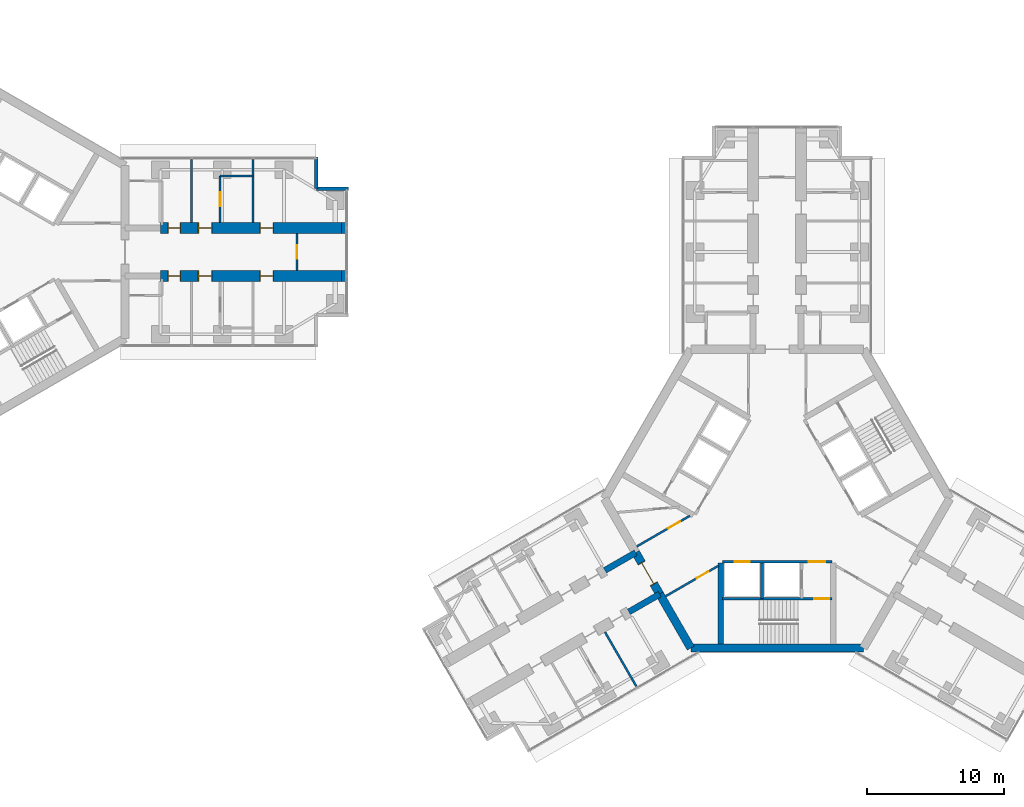
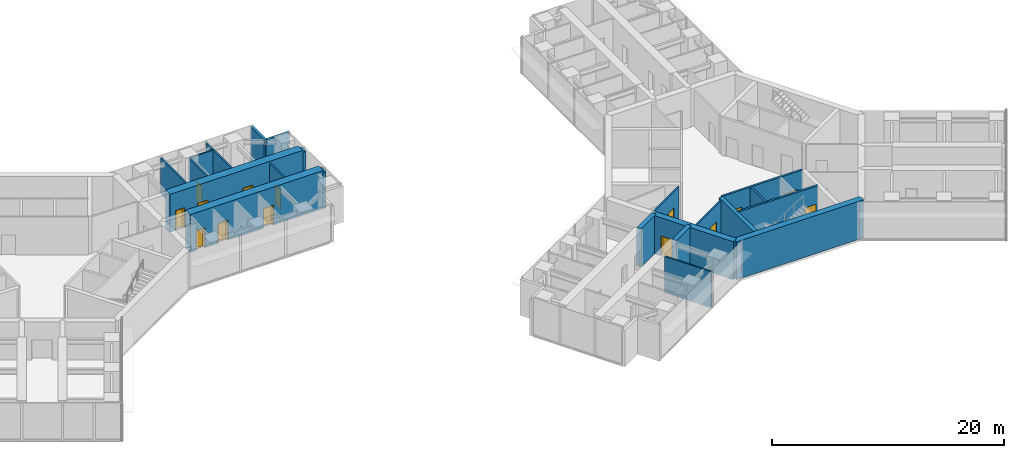
# One storey, part 18 of 22: 23 walls, 14 doors, 14 openings.
"""IFC4 building model written with IfcOpenShell, lengths in metres."""

from ifc_helpers import new_model, si_unit, direction, frame, frame_2d, origin, place, context, subcontext, project, spatial, rectangle, extrude, material, layer, layer_set, type_object, element, fill, save


model = new_model("IFC4")

# Units and contexts
model_context = context("Model", 3, precision=1e-05, world=origin(), true_north=direction((0.0, 1.0)))
body_context = subcontext(model_context, "Body", "Model", "MODEL_VIEW")
ifc_project = project(units=[si_unit("LENGTHUNIT", "METRE"), si_unit("AREAUNIT", "SQUARE_METRE"), si_unit("VOLUMEUNIT", "CUBIC_METRE"), si_unit("PLANEANGLEUNIT", "RADIAN"), si_unit("MASSUNIT", "GRAM", prefix="KILO")], contexts=[model_context])

# Site, building, storey
site_placement = place(None, origin())
site = spatial("IfcSite", under=ifc_project, at=site_placement, CompositionType="ELEMENT")
building_placement = place(site_placement, origin())
building = spatial("IfcBuilding", under=site, at=building_placement, Name="Upepo Twin Towers", CompositionType="ELEMENT")
storey_placement = place(building_placement, frame((0.0, 0.0, 137.5)))
storey = spatial("IfcBuildingStorey", under=building, at=storey_placement, Name="L33", CompositionType="ELEMENT", Elevation=137.5)

# Walls
ifc_material_1 = material(Name="Dense concrete blockwork", Category="masonry")
ifc_layer_1 = layer(ifc_material_1, 0.800048828125)
ifc_layer_set_1 = layer_set([ifc_layer_1], Name="Buttress closer 800, blockwork with fire-stopping to the curtain wall")
wall_type_1 = type_object("IfcWallType", Name="Buttress closer 800, blockwork with fire-stopping to the curtain wall", PredefinedType="PARTITIONING", material=ifc_layer_set_1)
for number, where, z_axis, x_axis, name in (
    (1, (26.699951171875, 1.75, 0.0), (0.0, 0.0, 1.0), (1.0, 0.0, 0.0), "T1 L33 wing A buttress closer L"),
    (2, (26.699951171875, -1.75, 0.0), (0.0, 0.0, 1.0), (1.0, 0.0, 0.0), "T1 L33 wing A buttress closer R"),
):
    element("IfcWall", number, at=place(storey_placement, frame(where, z_axis=z_axis, x_axis=x_axis)), inside=storey, type_object=wall_type_1, Name=name, PredefinedType="PARTITIONING", context=body_context, shape_type="SweptSolid", body=[
        extrude(rectangle(XDim=0.300048828125, YDim=0.800048828125, at=frame_2d((0.14990234375, 0.0))), origin(), (0.0, 0.0, 1.0), 3.800048828125),
    ])
ifc_material_2 = material(Name="Concrete C60/75", Category="concrete")
ifc_layer_2 = layer(ifc_material_2, 0.449951171875)
ifc_layer_set_2 = layer_set([ifc_layer_2], Name="Concrete C60/75")
wall_type_2 = type_object("IfcWallType", Name="Buttress wall 450 RC", PredefinedType="SHEAR", material=ifc_layer_set_2)
for number, where, z_axis, x_axis, name in (
    (3, (49.92822265625, -24.9697265625, 0.0), (0.0, 0.0, 1.0), (-0.866031863473, -0.499988811324, 0.0), "T2 wing B buttress wall L"),
    (4, (48.17822265625, -21.938720703125, 0.0), (0.0, 0.0, 1.0), (-0.866072649678, -0.499918158782, 0.0), "T2 wing B buttress wall R"),
):
    element("IfcWall", number, at=place(storey_placement, frame(where, z_axis=z_axis, x_axis=x_axis)), inside=storey, type_object=wall_type_2, Name=name, PredefinedType="SHEAR", context=body_context, shape_type="SweptSolid", body=[
        extrude(rectangle(XDim=2.591796875, YDim=0.449951171875, at=frame_2d((1.2958984375, 0.0))), origin(), (0.0, 0.0, 1.0), 4.0),
    ])

# Wall, openings, doors
ifc_material_3 = material(Name="Concrete C60/75", Category="concrete")
ifc_layer_3 = layer(ifc_material_3, 0.800048828125)
ifc_layer_set_3 = layer_set([ifc_layer_3], Name="Concrete C60/75")
wall_type_3 = type_object("IfcWallType", Name="Buttress wall 800 RC", PredefinedType="SHEAR", material=ifc_layer_set_3)
wall_1_placement = place(storey_placement, frame((13.5, 1.75, 0.0), z_axis=(0.0, 0.0, 1.0), x_axis=(1.0, 0.0, 0.0)))
wall_1 = element("IfcWall", 5, at=wall_1_placement, inside=storey, type_object=wall_type_3, Name="T1 wing A buttress wall L part 2", PredefinedType="SHEAR", context=body_context, shape_type="SweptSolid", body=[
    extrude(rectangle(XDim=13.199951171875, YDim=0.800048828125, at=frame_2d((6.60009765625, 0.0))), origin(), (0.0, 0.0, 1.0), 4.0),
])
opening_1_placement = place(wall_1_placement, frame((0.550048828125, 0.0, 0.0)))
opening_1 = element("IfcOpeningElement", 6, at=opening_1_placement, cuts=wall_1, Name="Opening D11", PredefinedType="OPENING", context=body_context, shape_type="SweptSolid", body=[
    extrude(rectangle(XDim=0.89990234375, YDim=2.10009765625, at=frame_2d((0.449951171875, 1.050048828125))), frame((0.0, 0.409912109375, 0.0), z_axis=(0.0, -1.0, 0.0), x_axis=(1.0, 0.0, 0.0)), (0.0, 0.0, 1.0), 0.820068359375),
])
opening_2_placement = place(wall_1_placement, frame((2.75, 0.0, 0.0)))
opening_2 = element("IfcOpeningElement", 7, at=opening_2_placement, cuts=wall_1, Name="Opening D1", PredefinedType="OPENING", context=body_context, shape_type="SweptSolid", body=[
    extrude(rectangle(XDim=1.0, YDim=2.10009765625, at=frame_2d((0.5, 1.050048828125))), frame((0.0, 0.409912109375, 0.0), z_axis=(0.0, -1.0, 0.0), x_axis=(1.0, 0.0, 0.0)), (0.0, 0.0, 1.0), 0.820068359375),
])
opening_3_placement = place(wall_1_placement, frame((7.25, 0.0, 0.0)))
opening_3 = element("IfcOpeningElement", 8, at=opening_3_placement, cuts=wall_1, Name="Opening D1", PredefinedType="OPENING", context=body_context, shape_type="SweptSolid", body=[
    extrude(rectangle(XDim=1.0, YDim=2.10009765625, at=frame_2d((0.5, 1.050048828125))), frame((0.0, 0.409912109375, 0.0), z_axis=(0.0, -1.0, 0.0), x_axis=(1.0, 0.0, 0.0)), (0.0, 0.0, 1.0), 0.820068359375),
])
ifc_material_4 = material(Name="Timber doorset", Category="wood")
door_type_1 = type_object("IfcDoorType", Name="Room door 1000 FD30", OperationType="SINGLE_SWING_LEFT", PredefinedType="DOOR", material=ifc_material_4)
door_1_placement = place(opening_2_placement, origin())
door_1 = element("IfcDoor", 9, at=door_1_placement, inside=storey, type_object=door_type_1, Name="T1 L33 seminar room door", OperationType="SINGLE_SWING_LEFT", OverallHeight=2.10009765625, OverallWidth=1.0, PredefinedType="DOOR", context=body_context, shape_type="SweptSolid", body=[
    extrude(rectangle(XDim=0.92, YDim=2.06009765625, at=frame_2d((0.5, 1.030029296875))), frame((0.0, 0.02490234375, 0.0), z_axis=(0.0, -1.0, 0.0), x_axis=(1.0, 0.0, 0.0)), (0.0, 0.0, 1.0), 0.050048828125),
    extrude(rectangle(XDim=0.04, YDim=2.10009765625, at=frame_2d((0.02001953125, 1.050048828125))), frame((0.0, 0.39990234375, 0.0), z_axis=(0.0, -1.0, 0.0), x_axis=(1.0, 0.0, 0.0)), (0.0, 0.0, 1.0), 0.799560546875),
    extrude(rectangle(XDim=0.04, YDim=2.10009765625, at=frame_2d((0.97998046875, 1.050048828125))), frame((0.0, 0.39990234375, 0.0), z_axis=(0.0, -1.0, 0.0), x_axis=(1.0, 0.0, 0.0)), (0.0, 0.0, 1.0), 0.799560546875),
    extrude(rectangle(XDim=0.92, YDim=0.04, at=frame_2d((0.5, 2.080078125))), frame((0.0, 0.39990234375, 0.0), z_axis=(0.0, -1.0, 0.0), x_axis=(1.0, 0.0, 0.0)), (0.0, 0.0, 1.0), 0.799560546875),
])
fill(opening_2, door_1)
door_2_placement = place(opening_3_placement, origin())
door_2 = element("IfcDoor", 10, at=door_2_placement, inside=storey, type_object=door_type_1, Name="T1 L33 staff office door", OperationType="SINGLE_SWING_RIGHT", OverallHeight=2.10009765625, OverallWidth=1.0, PredefinedType="DOOR", context=body_context, shape_type="SweptSolid", body=[
    extrude(rectangle(XDim=0.92, YDim=2.06009765625, at=frame_2d((0.5, 1.030029296875))), frame((0.0, 0.02490234375, 0.0), z_axis=(0.0, -1.0, 0.0), x_axis=(1.0, 0.0, 0.0)), (0.0, 0.0, 1.0), 0.050048828125),
    extrude(rectangle(XDim=0.04, YDim=2.10009765625, at=frame_2d((0.02001953125, 1.050048828125))), frame((0.0, 0.39990234375, 0.0), z_axis=(0.0, -1.0, 0.0), x_axis=(1.0, 0.0, 0.0)), (0.0, 0.0, 1.0), 0.799560546875),
    extrude(rectangle(XDim=0.04, YDim=2.10009765625, at=frame_2d((0.97998046875, 1.050048828125))), frame((0.0, 0.39990234375, 0.0), z_axis=(0.0, -1.0, 0.0), x_axis=(1.0, 0.0, 0.0)), (0.0, 0.0, 1.0), 0.799560546875),
    extrude(rectangle(XDim=0.92, YDim=0.04, at=frame_2d((0.5, 2.080078125))), frame((0.0, 0.39990234375, 0.0), z_axis=(0.0, -1.0, 0.0), x_axis=(1.0, 0.0, 0.0)), (0.0, 0.0, 1.0), 0.799560546875),
])
fill(opening_3, door_2)
ifc_material_5 = material(Name="Timber doorset", Category="wood")
door_type_2 = type_object("IfcDoorType", Name="Toilet door 900", OperationType="SINGLE_SWING_LEFT", PredefinedType="DOOR", material=ifc_material_5)
door_3_placement = place(opening_1_placement, origin())
door_3 = element("IfcDoor", 11, at=door_3_placement, inside=storey, type_object=door_type_2, Name="T1 L33 accessible wc door", OperationType="SINGLE_SWING_LEFT", OverallHeight=2.10009765625, OverallWidth=0.89990234375, PredefinedType="DOOR", context=body_context, shape_type="SweptSolid", body=[
    extrude(rectangle(XDim=0.81990234375, YDim=2.06009765625, at=frame_2d((0.449951171875, 1.030029296875))), frame((0.0, 0.02490234375, 0.0), z_axis=(0.0, -1.0, 0.0), x_axis=(1.0, 0.0, 0.0)), (0.0, 0.0, 1.0), 0.050048828125),
    extrude(rectangle(XDim=0.04, YDim=2.10009765625, at=frame_2d((0.02001953125, 1.050048828125))), frame((0.0, 0.39990234375, 0.0), z_axis=(0.0, -1.0, 0.0), x_axis=(1.0, 0.0, 0.0)), (0.0, 0.0, 1.0), 0.799560546875),
    extrude(rectangle(XDim=0.04, YDim=2.10009765625, at=frame_2d((0.8798828125, 1.050048828125))), frame((0.0, 0.39990234375, 0.0), z_axis=(0.0, -1.0, 0.0), x_axis=(1.0, 0.0, 0.0)), (0.0, 0.0, 1.0), 0.799560546875),
    extrude(rectangle(XDim=0.81990234375, YDim=0.04, at=frame_2d((0.449951171875, 2.080078125))), frame((0.0, 0.39990234375, 0.0), z_axis=(0.0, -1.0, 0.0), x_axis=(1.0, 0.0, 0.0)), (0.0, 0.0, 1.0), 0.799560546875),
])
fill(opening_1, door_3)

wall_2_placement = place(storey_placement, frame((13.5, -1.75, 0.0), z_axis=(0.0, 0.0, 1.0), x_axis=(1.0, 0.0, 0.0)))
wall_2 = element("IfcWall", 12, at=wall_2_placement, inside=storey, type_object=wall_type_3, Name="T1 wing A buttress wall R part 2", PredefinedType="SHEAR", context=body_context, shape_type="SweptSolid", body=[
    extrude(rectangle(XDim=13.199951171875, YDim=0.800048828125, at=frame_2d((6.60009765625, 0.0))), origin(), (0.0, 0.0, 1.0), 4.0),
])
opening_4_placement = place(wall_2_placement, frame((0.550048828125, 0.0, 0.0)))
opening_4 = element("IfcOpeningElement", 13, at=opening_4_placement, cuts=wall_2, Name="Opening D11", PredefinedType="OPENING", context=body_context, shape_type="SweptSolid", body=[
    extrude(rectangle(XDim=0.89990234375, YDim=2.10009765625, at=frame_2d((0.449951171875, 1.050048828125))), frame((0.0, 0.409912109375, 0.0), z_axis=(0.0, -1.0, 0.0), x_axis=(1.0, 0.0, 0.0)), (0.0, 0.0, 1.0), 0.820068359375),
])
opening_5_placement = place(wall_2_placement, frame((2.75, 0.0, 0.0)))
opening_5 = element("IfcOpeningElement", 14, at=opening_5_placement, cuts=wall_2, Name="Opening D1", PredefinedType="OPENING", context=body_context, shape_type="SweptSolid", body=[
    extrude(rectangle(XDim=1.0, YDim=2.10009765625, at=frame_2d((0.5, 1.050048828125))), frame((0.0, 0.409912109375, 0.0), z_axis=(0.0, -1.0, 0.0), x_axis=(1.0, 0.0, 0.0)), (0.0, 0.0, 1.0), 0.820068359375),
])
opening_6_placement = place(wall_2_placement, frame((7.25, 0.0, 0.0)))
opening_6 = element("IfcOpeningElement", 15, at=opening_6_placement, cuts=wall_2, Name="Opening D1", PredefinedType="OPENING", context=body_context, shape_type="SweptSolid", body=[
    extrude(rectangle(XDim=1.0, YDim=2.10009765625, at=frame_2d((0.5, 1.050048828125))), frame((0.0, 0.409912109375, 0.0), z_axis=(0.0, -1.0, 0.0), x_axis=(1.0, 0.0, 0.0)), (0.0, 0.0, 1.0), 0.820068359375),
])
door_4_placement = place(opening_5_placement, origin())
door_4 = element("IfcDoor", 16, at=door_4_placement, inside=storey, type_object=door_type_1, Name="T1 L33 tutorial room door", OperationType="SINGLE_SWING_LEFT", OverallHeight=2.10009765625, OverallWidth=1.0, PredefinedType="DOOR", context=body_context, shape_type="SweptSolid", body=[
    extrude(rectangle(XDim=0.92, YDim=2.06009765625, at=frame_2d((0.5, 1.030029296875))), frame((0.0, 0.02490234375, 0.0), z_axis=(0.0, -1.0, 0.0), x_axis=(1.0, 0.0, 0.0)), (0.0, 0.0, 1.0), 0.050048828125),
    extrude(rectangle(XDim=0.04, YDim=2.10009765625, at=frame_2d((0.02001953125, 1.050048828125))), frame((0.0, 0.39990234375, 0.0), z_axis=(0.0, -1.0, 0.0), x_axis=(1.0, 0.0, 0.0)), (0.0, 0.0, 1.0), 0.799560546875),
    extrude(rectangle(XDim=0.04, YDim=2.10009765625, at=frame_2d((0.97998046875, 1.050048828125))), frame((0.0, 0.39990234375, 0.0), z_axis=(0.0, -1.0, 0.0), x_axis=(1.0, 0.0, 0.0)), (0.0, 0.0, 1.0), 0.799560546875),
    extrude(rectangle(XDim=0.92, YDim=0.04, at=frame_2d((0.5, 2.080078125))), frame((0.0, 0.39990234375, 0.0), z_axis=(0.0, -1.0, 0.0), x_axis=(1.0, 0.0, 0.0)), (0.0, 0.0, 1.0), 0.799560546875),
])
fill(opening_5, door_4)
door_5_placement = place(opening_6_placement, origin())
door_5 = element("IfcDoor", 17, at=door_5_placement, inside=storey, type_object=door_type_1, Name="T1 L33 computing laboratory door", OperationType="SINGLE_SWING_RIGHT", OverallHeight=2.10009765625, OverallWidth=1.0, PredefinedType="DOOR", context=body_context, shape_type="SweptSolid", body=[
    extrude(rectangle(XDim=0.92, YDim=2.06009765625, at=frame_2d((0.5, 1.030029296875))), frame((0.0, 0.02490234375, 0.0), z_axis=(0.0, -1.0, 0.0), x_axis=(1.0, 0.0, 0.0)), (0.0, 0.0, 1.0), 0.050048828125),
    extrude(rectangle(XDim=0.04, YDim=2.10009765625, at=frame_2d((0.02001953125, 1.050048828125))), frame((0.0, 0.39990234375, 0.0), z_axis=(0.0, -1.0, 0.0), x_axis=(1.0, 0.0, 0.0)), (0.0, 0.0, 1.0), 0.799560546875),
    extrude(rectangle(XDim=0.04, YDim=2.10009765625, at=frame_2d((0.97998046875, 1.050048828125))), frame((0.0, 0.39990234375, 0.0), z_axis=(0.0, -1.0, 0.0), x_axis=(1.0, 0.0, 0.0)), (0.0, 0.0, 1.0), 0.799560546875),
    extrude(rectangle(XDim=0.92, YDim=0.04, at=frame_2d((0.5, 2.080078125))), frame((0.0, 0.39990234375, 0.0), z_axis=(0.0, -1.0, 0.0), x_axis=(1.0, 0.0, 0.0)), (0.0, 0.0, 1.0), 0.799560546875),
])
fill(opening_6, door_5)
door_6_placement = place(opening_4_placement, origin())
door_6 = element("IfcDoor", 18, at=door_6_placement, inside=storey, type_object=door_type_2, Name="T1 L33 toilets door", OperationType="SINGLE_SWING_LEFT", OverallHeight=2.10009765625, OverallWidth=0.89990234375, PredefinedType="DOOR", context=body_context, shape_type="SweptSolid", body=[
    extrude(rectangle(XDim=0.81990234375, YDim=2.06009765625, at=frame_2d((0.449951171875, 1.030029296875))), frame((0.0, 0.02490234375, 0.0), z_axis=(0.0, -1.0, 0.0), x_axis=(1.0, 0.0, 0.0)), (0.0, 0.0, 1.0), 0.050048828125),
    extrude(rectangle(XDim=0.04, YDim=2.10009765625, at=frame_2d((0.02001953125, 1.050048828125))), frame((0.0, 0.39990234375, 0.0), z_axis=(0.0, -1.0, 0.0), x_axis=(1.0, 0.0, 0.0)), (0.0, 0.0, 1.0), 0.799560546875),
    extrude(rectangle(XDim=0.04, YDim=2.10009765625, at=frame_2d((0.8798828125, 1.050048828125))), frame((0.0, 0.39990234375, 0.0), z_axis=(0.0, -1.0, 0.0), x_axis=(1.0, 0.0, 0.0)), (0.0, 0.0, 1.0), 0.799560546875),
    extrude(rectangle(XDim=0.81990234375, YDim=0.04, at=frame_2d((0.449951171875, 2.080078125))), frame((0.0, 0.39990234375, 0.0), z_axis=(0.0, -1.0, 0.0), x_axis=(1.0, 0.0, 0.0)), (0.0, 0.0, 1.0), 0.799560546875),
])
fill(opening_4, door_6)

# Wall, opening, door
ifc_material_6 = material(Name="Concrete C60/75", Category="concrete")
ifc_layer_4 = layer(ifc_material_6, 0.60009765625)
ifc_layer_set_4 = layer_set([ifc_layer_4], Name="Concrete C60/75")
wall_type_4 = type_object("IfcWallType", Name="Core wall 600 RC", PredefinedType="SHEAR", material=ifc_layer_set_4)
wall_3_placement = place(storey_placement, frame((48.17822265625, -21.938720703125, 0.0), z_axis=(0.0, 0.0, 1.0), x_axis=(0.500010275428, -0.866019471182, 0.0)))
wall_3 = element("IfcWall", 19, at=wall_3_placement, inside=storey, type_object=wall_type_4, Name="T2 core wall 120", PredefinedType="SHEAR", context=body_context, shape_type="SweptSolid", body=[
    extrude(rectangle(XDim=3.5, YDim=0.60009765625, at=frame_2d((1.75, 0.0))), origin(), (0.0, 0.0, 1.0), 4.0),
])
opening_7_placement = place(wall_3_placement, frame((0.85009765625, 0.0, 0.0)))
opening_7 = element("IfcOpeningElement", 20, at=opening_7_placement, cuts=wall_3, Name="Opening D2", PredefinedType="OPENING", context=body_context, shape_type="SweptSolid", body=[
    extrude(rectangle(XDim=1.800048828125, YDim=2.10009765625, at=frame_2d((0.89990234375, 1.050048828125))), frame((0.0, 0.31005859375, 0.0), z_axis=(0.0, -1.0, 0.0), x_axis=(1.0, 0.0, 0.0)), (0.0, 0.0, 1.0), 0.6201171875),
])
ifc_material_7 = material(Name="Timber doorset", Category="wood")
door_type_3 = type_object("IfcDoorType", Name="Corridor double door 1800 FD60", OperationType="DOUBLE_DOOR_DOUBLE_SWING", PredefinedType="DOOR", material=ifc_material_7)
door_7_placement = place(opening_7_placement, origin())
door_7 = element("IfcDoor", 21, at=door_7_placement, inside=storey, type_object=door_type_3, Name="T2 L33 wing B corridor door", OperationType="DOUBLE_DOOR_DOUBLE_SWING", OverallHeight=2.10009765625, OverallWidth=1.800048828125, PredefinedType="DOOR", context=body_context, shape_type="SweptSolid", body=[
    extrude(rectangle(XDim=1.720048828125, YDim=2.06009765625, at=frame_2d((0.89990234375, 1.030029296875))), frame((0.0, 0.02490234375, 0.0), z_axis=(0.0, -1.0, 0.0), x_axis=(1.0, 0.0, 0.0)), (0.0, 0.0, 1.0), 0.050048828125),
    extrude(rectangle(XDim=0.04, YDim=2.10009765625, at=frame_2d((0.02001953125, 1.050048828125))), frame((0.0, 0.2998046875, 0.0), z_axis=(0.0, -1.0, 0.0), x_axis=(1.0, 0.0, 0.0)), (0.0, 0.0, 1.0), 0.599609375),
    extrude(rectangle(XDim=0.04, YDim=2.10009765625, at=frame_2d((1.780029296875, 1.050048828125))), frame((0.0, 0.2998046875, 0.0), z_axis=(0.0, -1.0, 0.0), x_axis=(1.0, 0.0, 0.0)), (0.0, 0.0, 1.0), 0.599609375),
    extrude(rectangle(XDim=1.720048828125, YDim=0.04, at=frame_2d((0.89990234375, 2.080078125))), frame((0.0, 0.2998046875, 0.0), z_axis=(0.0, -1.0, 0.0), x_axis=(1.0, 0.0, 0.0)), (0.0, 0.0, 1.0), 0.599609375),
])
fill(opening_7, door_7)

# Walls
wall_4_placement = place(storey_placement, frame((49.92822265625, -24.9697265625, 0.0), z_axis=(0.0, 0.0, 1.0), x_axis=(0.499984222037, -0.866034513004, 0.0)))
element("IfcWall", 22, at=wall_4_placement, inside=storey, type_object=wall_type_4, Name="T2 core wall 120 L", PredefinedType="SHEAR", context=body_context, shape_type="SweptSolid", body=[
    extrude(rectangle(XDim=4.548095703125, YDim=0.60009765625, at=frame_2d((2.27392578125, 0.0))), origin(), (0.0, 0.0, 1.0), 4.0),
])
wall_5_placement = place(storey_placement, frame((52.2021484375, -28.908447265625, 0.0), z_axis=(0.0, 0.0, 1.0), x_axis=(1.0, 0.0, 0.0)))
element("IfcWall", 23, at=wall_5_placement, inside=storey, type_object=wall_type_4, Name="T2 core wall 180", PredefinedType="SHEAR", context=body_context, shape_type="SweptSolid", body=[
    extrude(rectangle(XDim=12.595703125, YDim=0.60009765625, at=frame_2d((6.2978515625, 0.0))), origin(), (0.0, 0.0, 1.0), 4.0),
])
ifc_material_8 = material(Name="Blockwork with anodised aluminium cladding", Category="masonry")
ifc_layer_5 = layer(ifc_material_8, 0.25)
ifc_layer_set_5 = layer_set([ifc_layer_5], Name="Notch cladding wall 250, pale metal")
wall_type_5 = type_object("IfcWallType", Name="Notch cladding wall 250, pale metal", PredefinedType="STANDARD", material=ifc_layer_set_5)
for number, where, z_axis, x_axis, name in (
    (24, (24.875, 6.949951171875, 0.0), (0.0, 0.0, 1.0), (0.0, -1.0, 0.0), "T1 L33 wing A notch wall L1"),
    (25, (24.875, 4.625, 0.0), (0.0, 0.0, 1.0), (1.0, 0.0, 0.0), "T1 L33 wing A notch wall L2"),
):
    element("IfcWall", number, at=place(storey_placement, frame(where, z_axis=z_axis, x_axis=x_axis)), inside=storey, type_object=wall_type_5, Name=name, PredefinedType="STANDARD", context=body_context, shape_type="SweptSolid", body=[
        extrude(rectangle(XDim=2.324951171875, YDim=0.25, at=frame_2d((1.16259765625, 0.0))), origin(), (0.0, 0.0, 1.0), 3.800048828125),
    ])

# Wall, openings, doors
ifc_material_9 = material(Name="Concrete C40/50", Category="concrete")
ifc_layer_6 = layer(ifc_material_9, 0.199951171875)
ifc_layer_set_6 = layer_set([ifc_layer_6], Name="Concrete C40/50")
wall_type_6 = type_object("IfcWallType", Name="Shaft wall 200 RC", PredefinedType="SHEAR", material=ifc_layer_set_6)
wall_6_placement = place(storey_placement, frame((54.5, -22.60009765625, 0.0), z_axis=(0.0, 0.0, 1.0), x_axis=(1.0, 0.0, 0.0)))
wall_6 = element("IfcWall", 26, at=wall_6_placement, inside=storey, type_object=wall_type_6, Name="T2 core W180 front wall", PredefinedType="SHEAR", context=body_context, shape_type="SweptSolid", body=[
    extrude(rectangle(XDim=8.0, YDim=0.199951171875, at=frame_2d((4.0, 0.0))), origin(), (0.0, 0.0, 1.0), 4.0),
])
opening_8_placement = place(wall_6_placement, frame((6.300048828125, 0.0, 0.0)))
opening_8 = element("IfcOpeningElement", 27, at=opening_8_placement, cuts=wall_6, Name="Opening D4", PredefinedType="OPENING", context=body_context, shape_type="SweptSolid", body=[
    extrude(rectangle(XDim=1.199951171875, YDim=2.10009765625, at=frame_2d((0.60009765625, 1.050048828125))), frame((0.0, 0.10986328125, 0.0), z_axis=(0.0, -1.0, 0.0), x_axis=(1.0, 0.0, 0.0)), (0.0, 0.0, 1.0), 0.219970703125),
])
opening_9_placement = place(wall_6_placement, frame((0.89990234375, 0.0, 0.0)))
opening_9 = element("IfcOpeningElement", 28, at=opening_9_placement, cuts=wall_6, Name="Opening LD1", PredefinedType="OPENING", context=body_context, shape_type="SweptSolid", body=[
    extrude(rectangle(XDim=1.10009765625, YDim=2.199951171875, at=frame_2d((0.550048828125, 1.10009765625))), frame((0.0, 0.10986328125, 0.0), z_axis=(0.0, -1.0, 0.0), x_axis=(1.0, 0.0, 0.0)), (0.0, 0.0, 1.0), 0.219970703125),
])
ifc_material_10 = material(Name="Steel doorset", Category="steel")
door_type_4 = type_object("IfcDoorType", Name="Lift landing door 1100", OperationType="DOUBLE_DOOR_SLIDING", PredefinedType="DOOR", material=ifc_material_10)
door_8_placement = place(opening_9_placement, origin())
door_8 = element("IfcDoor", 29, at=door_8_placement, inside=storey, type_object=door_type_4, Name="T2 L33 lift SV1 landing door", OperationType="DOUBLE_DOOR_SLIDING", OverallHeight=2.199951171875, OverallWidth=1.10009765625, PredefinedType="DOOR", context=body_context, shape_type="SweptSolid", body=[
    extrude(rectangle(XDim=1.10009765625, YDim=2.199951171875, at=frame_2d((0.550048828125, 1.10009765625))), frame((0.0, 0.02490234375, 0.0), z_axis=(0.0, -1.0, 0.0), x_axis=(1.0, 0.0, 0.0)), (0.0, 0.0, 1.0), 0.050048828125),
])
fill(opening_9, door_8)
ifc_material_11 = material(Name="Timber doorset", Category="wood")
door_type_5 = type_object("IfcDoorType", Name="Lobby door 1200 FD60", OperationType="SINGLE_SWING_LEFT", PredefinedType="DOOR", material=ifc_material_11)
door_9_placement = place(opening_8_placement, origin())
door_9 = element("IfcDoor", 30, at=door_9_placement, inside=storey, type_object=door_type_5, Name="T2 L33 W180 lobby door", OperationType="SINGLE_SWING_RIGHT", OverallHeight=2.10009765625, OverallWidth=1.199951171875, PredefinedType="DOOR", context=body_context, shape_type="SweptSolid", body=[
    extrude(rectangle(XDim=1.199951171875, YDim=2.10009765625, at=frame_2d((0.60009765625, 1.050048828125))), frame((0.0, 0.02490234375, 0.0), z_axis=(0.0, -1.0, 0.0), x_axis=(1.0, 0.0, 0.0)), (0.0, 0.0, 1.0), 0.050048828125),
])
fill(opening_8, door_9)

# Wall
wall_7_placement = place(storey_placement, frame((57.39990234375, -22.699951171875, 0.0), z_axis=(0.0, 0.0, 1.0), x_axis=(0.0, -1.0, 0.0)))
element("IfcWall", 31, at=wall_7_placement, inside=storey, type_object=wall_type_6, Name="T2 core W180 shaft divider", PredefinedType="SHEAR", context=body_context, shape_type="SweptSolid", body=[
    extrude(rectangle(XDim=2.60009765625, YDim=0.199951171875, at=frame_2d((1.300048828125, 0.0))), origin(), (0.0, 0.0, 1.0), 4.0),
])

# Wall, opening, door
wall_8_placement = place(storey_placement, frame((54.5, -25.300048828125, 0.0), z_axis=(0.0, 0.0, 1.0), x_axis=(1.0, 0.0, 0.0)))
wall_8 = element("IfcWall", 32, at=wall_8_placement, inside=storey, type_object=wall_type_6, Name="T2 core W180 stair wall", PredefinedType="SHEAR", context=body_context, shape_type="SweptSolid", body=[
    extrude(rectangle(XDim=8.0, YDim=0.199951171875, at=frame_2d((4.0, 0.0))), origin(), (0.0, 0.0, 1.0), 4.0),
])
opening_10_placement = place(wall_8_placement, frame((6.699951171875, 0.0, 0.0)))
opening_10 = element("IfcOpeningElement", 33, at=opening_10_placement, cuts=wall_8, Name="Opening D3", PredefinedType="OPENING", context=body_context, shape_type="SweptSolid", body=[
    extrude(rectangle(XDim=1.10009765625, YDim=2.10009765625, at=frame_2d((0.550048828125, 1.050048828125))), frame((0.0, 0.10986328125, 0.0), z_axis=(0.0, -1.0, 0.0), x_axis=(1.0, 0.0, 0.0)), (0.0, 0.0, 1.0), 0.219970703125),
])
ifc_material_12 = material(Name="Timber doorset", Category="wood")
door_type_6 = type_object("IfcDoorType", Name="Stair door 1100 FD60", OperationType="SINGLE_SWING_LEFT", PredefinedType="DOOR", material=ifc_material_12)
door_10_placement = place(opening_10_placement, origin())
door_10 = element("IfcDoor", 34, at=door_10_placement, inside=storey, type_object=door_type_6, Name="T2 L33 stair door", OperationType="SINGLE_SWING_RIGHT", OverallHeight=2.10009765625, OverallWidth=1.10009765625, PredefinedType="DOOR", context=body_context, shape_type="SweptSolid", body=[
    extrude(rectangle(XDim=1.10009765625, YDim=2.10009765625, at=frame_2d((0.550048828125, 1.050048828125))), frame((0.0, 0.02490234375, 0.0), z_axis=(0.0, -1.0, 0.0), x_axis=(1.0, 0.0, 0.0)), (0.0, 0.0, 1.0), 0.050048828125),
])
fill(opening_10, door_10)

# Walls
ifc_material_13 = material(Name="Concrete C40/50", Category="concrete")
ifc_layer_7 = layer(ifc_material_13, 0.39990234375)
ifc_layer_set_7 = layer_set([ifc_layer_7], Name="Concrete C40/50")
wall_type_7 = type_object("IfcWallType", Name="Shaft wall 400 RC", PredefinedType="SHEAR", material=ifc_layer_set_7)
wall_9_placement = place(storey_placement, frame((54.39990234375, -22.699951171875, 0.0), z_axis=(0.0, 0.0, 1.0), x_axis=(0.0, -1.0, 0.0)))
element("IfcWall", 35, at=wall_9_placement, inside=storey, type_object=wall_type_7, Name="T2 core W180 side wall S", PredefinedType="SHEAR", context=body_context, shape_type="SweptSolid", body=[
    extrude(rectangle(XDim=5.908447265625, YDim=0.39990234375, at=frame_2d((2.9541015625, 0.0))), origin(), (0.0, 0.0, 1.0), 4.0),
])
ifc_material_14 = material(Name="Gypsum board on steel studs", Category="steel")
ifc_layer_8 = layer(ifc_material_14, 0.14990234375)
ifc_layer_set_8 = layer_set([ifc_layer_8], Name="Teaching partition 150 acoustic")
wall_type_8 = type_object("IfcWallType", Name="Teaching partition 150 acoustic", PredefinedType="PARTITIONING", material=ifc_layer_set_8)
for number, where, z_axis, x_axis, name in (
    (36, (15.75, 2.14990234375, 0.0), (0.0, 0.0, 1.0), (0.0, 1.0, 0.0), "T1 partition AL at 15.75"),
    (37, (20.25, 2.14990234375, 0.0), (0.0, 0.0, 1.0), (0.0, 1.0, 0.0), "T1 partition AL at 20.25"),
):
    element("IfcWall", number, at=place(storey_placement, frame(where, z_axis=z_axis, x_axis=x_axis)), inside=storey, type_object=wall_type_8, Name=name, PredefinedType="PARTITIONING", context=body_context, shape_type="SweptSolid", body=[
        extrude(rectangle(XDim=4.60009765625, YDim=0.14990234375, at=frame_2d((2.300048828125, 0.0))), origin(), (0.0, 0.0, 1.0), 3.800048828125),
    ])
wall_10_placement = place(storey_placement, frame((17.85009765625, 5.550048828125, 0.0), z_axis=(0.0, 0.0, 1.0), x_axis=(1.0, 0.0, 0.0)))
element("IfcWall", 38, at=wall_10_placement, inside=storey, type_object=wall_type_8, Name="T1 inner room partition AL at 17.85", PredefinedType="PARTITIONING", context=body_context, shape_type="SweptSolid", body=[
    extrude(rectangle(XDim=2.39990234375, YDim=0.14990234375, at=frame_2d((1.199951171875, 0.0))), origin(), (0.0, 0.0, 1.0), 3.800048828125),
])

# Wall, opening, door
wall_11_placement = place(storey_placement, frame((17.85009765625, 2.14990234375, 0.0), z_axis=(0.0, 0.0, 1.0), x_axis=(0.0, 1.0, 0.0)))
wall_11 = element("IfcWall", 39, at=wall_11_placement, inside=storey, type_object=wall_type_8, Name="T1 inner room partition AL end at 17.85", PredefinedType="PARTITIONING", context=body_context, shape_type="SweptSolid", body=[
    extrude(rectangle(XDim=3.400146484375, YDim=0.14990234375, at=frame_2d((1.7001953125, 0.0))), origin(), (0.0, 0.0, 1.0), 3.800048828125),
])
opening_11_placement = place(wall_11_placement, frame((1.199951171875, 0.0, 0.0)))
opening_11 = element("IfcOpeningElement", 40, at=opening_11_placement, cuts=wall_11, Name="Opening D1", PredefinedType="OPENING", context=body_context, shape_type="SweptSolid", body=[
    extrude(rectangle(XDim=1.0, YDim=2.10009765625, at=frame_2d((0.5, 1.050048828125))), frame((0.0, 0.0849609375, 0.0), z_axis=(0.0, -1.0, 0.0), x_axis=(1.0, 0.0, 0.0)), (0.0, 0.0, 1.0), 0.169921875),
])
door_11_placement = place(opening_11_placement, origin())
door_11 = element("IfcDoor", 41, at=door_11_placement, inside=storey, type_object=door_type_1, Name="T1 L33 inner room door", OperationType="SINGLE_SWING_LEFT", OverallHeight=2.10009765625, OverallWidth=1.0, PredefinedType="DOOR", context=body_context, shape_type="SweptSolid", body=[
    extrude(rectangle(XDim=1.0, YDim=2.10009765625, at=frame_2d((0.5, 1.050048828125))), frame((0.0, 0.02490234375, 0.0), z_axis=(0.0, -1.0, 0.0), x_axis=(1.0, 0.0, 0.0)), (0.0, 0.0, 1.0), 0.050048828125),
])
fill(opening_11, door_11)

wall_12_placement = place(storey_placement, frame((23.449951171875, -1.35009765625, 0.0), z_axis=(0.0, 0.0, 1.0), x_axis=(0.0, 1.0, 0.0)))
wall_12 = element("IfcWall", 42, at=wall_12_placement, inside=storey, type_object=wall_type_8, Name="T1 corridor end partition A at 23.45", PredefinedType="PARTITIONING", context=body_context, shape_type="SweptSolid", body=[
    extrude(rectangle(XDim=2.7001953125, YDim=0.14990234375, at=frame_2d((1.35009765625, 0.0))), origin(), (0.0, 0.0, 1.0), 3.800048828125),
])
opening_12_placement = place(wall_12_placement, frame((0.85009765625, 0.0, 0.0)))
opening_12 = element("IfcOpeningElement", 43, at=opening_12_placement, cuts=wall_12, Name="Opening D1", PredefinedType="OPENING", context=body_context, shape_type="SweptSolid", body=[
    extrude(rectangle(XDim=1.0, YDim=2.10009765625, at=frame_2d((0.5, 1.050048828125))), frame((0.0, 0.0849609375, 0.0), z_axis=(0.0, -1.0, 0.0), x_axis=(1.0, 0.0, 0.0)), (0.0, 0.0, 1.0), 0.169921875),
])
door_12_placement = place(opening_12_placement, origin())
door_12 = element("IfcDoor", 44, at=door_12_placement, inside=storey, type_object=door_type_1, Name="T1 L33 breakout study room door", OperationType="SINGLE_SWING_LEFT", OverallHeight=2.10009765625, OverallWidth=1.0, PredefinedType="DOOR", context=body_context, shape_type="SweptSolid", body=[
    extrude(rectangle(XDim=1.0, YDim=2.10009765625, at=frame_2d((0.5, 1.050048828125))), frame((0.0, 0.02490234375, 0.0), z_axis=(0.0, -1.0, 0.0), x_axis=(1.0, 0.0, 0.0)), (0.0, 0.0, 1.0), 0.050048828125),
])
fill(opening_12, door_12)

# Wall
wall_13_placement = place(storey_placement, frame((45.93505859375, -27.737060546875, 0.0), z_axis=(0.0, 0.0, 1.0), x_axis=(0.500014953309, -0.866016770315, 0.0)))
element("IfcWall", 45, at=wall_13_placement, inside=storey, type_object=wall_type_8, Name="T2 partition BL at 15.75", PredefinedType="PARTITIONING", context=body_context, shape_type="SweptSolid", body=[
    extrude(rectangle(XDim=4.599853515625, YDim=0.14990234375, at=frame_2d((2.2998046875, 0.0))), origin(), (0.0, 0.0, 1.0), 3.800048828125),
])

# Wall, opening, door
wall_14_placement = place(storey_placement, frame((48.25439453125, -21.490478515625, 0.0), z_axis=(0.0, 0.0, 1.0), x_axis=(0.866025707867, 0.499999473313, 0.0)))
wall_14 = element("IfcWall", 46, at=wall_14_placement, inside=storey, type_object=wall_type_8, Name="T2 core room partition 1", PredefinedType="PARTITIONING", context=body_context, shape_type="SweptSolid", body=[
    extrude(rectangle(XDim=4.4755859375, YDim=0.14990234375, at=frame_2d((2.23779296875, 0.0))), origin(), (0.0, 0.0, 1.0), 3.800048828125),
])
opening_13_placement = place(wall_14_placement, frame((2.633056640625, 0.0, 0.0)))
opening_13 = element("IfcOpeningElement", 47, at=opening_13_placement, cuts=wall_14, Name="Opening D1", PredefinedType="OPENING", context=body_context, shape_type="SweptSolid", body=[
    extrude(rectangle(XDim=1.0, YDim=2.10009765625, at=frame_2d((0.5, 1.050048828125))), frame((0.0, 0.0849609375, 0.0), z_axis=(0.0, -1.0, 0.0), x_axis=(1.0, 0.0, 0.0)), (0.0, 0.0, 1.0), 0.169921875),
])
door_13_placement = place(opening_13_placement, origin())
door_13 = element("IfcDoor", 48, at=door_13_placement, inside=storey, type_object=door_type_1, Name="T2 L33 core room door K2", OperationType="SINGLE_SWING_RIGHT", OverallHeight=2.10009765625, OverallWidth=1.0, PredefinedType="DOOR", context=body_context, shape_type="SweptSolid", body=[
    extrude(rectangle(XDim=1.0, YDim=2.10009765625, at=frame_2d((0.5, 1.050048828125))), frame((0.0, 0.02490234375, 0.0), z_axis=(0.0, -1.0, 0.0), x_axis=(1.0, 0.0, 0.0)), (0.0, 0.0, 1.0), 0.050048828125),
])
fill(opening_13, door_13)

wall_15_placement = place(storey_placement, frame((54.230224609375, -22.889892578125, 0.0), z_axis=(0.0, 0.0, 1.0), x_axis=(-0.866025707867, -0.499999473313, 0.0)))
wall_15 = element("IfcWall", 49, at=wall_15_placement, inside=storey, type_object=wall_type_8, Name="T2 core room partition 6", PredefinedType="PARTITIONING", context=body_context, shape_type="SweptSolid", body=[
    extrude(rectangle(XDim=4.4755859375, YDim=0.14990234375, at=frame_2d((2.23779296875, 0.0))), origin(), (0.0, 0.0, 1.0), 3.800048828125),
])
opening_14_placement = place(wall_15_placement, frame((0.8427734375, 0.0, 0.0)))
opening_14 = element("IfcOpeningElement", 50, at=opening_14_placement, cuts=wall_15, Name="Opening D1", PredefinedType="OPENING", context=body_context, shape_type="SweptSolid", body=[
    extrude(rectangle(XDim=1.0, YDim=2.10009765625, at=frame_2d((0.5, 1.050048828125))), frame((0.0, 0.0849609375, 0.0), z_axis=(0.0, -1.0, 0.0), x_axis=(1.0, 0.0, 0.0)), (0.0, 0.0, 1.0), 0.169921875),
])
door_14_placement = place(opening_14_placement, origin())
door_14 = element("IfcDoor", 51, at=door_14_placement, inside=storey, type_object=door_type_1, Name="T2 L33 core room door K3", OperationType="SINGLE_SWING_LEFT", OverallHeight=2.10009765625, OverallWidth=1.0, PredefinedType="DOOR", context=body_context, shape_type="SweptSolid", body=[
    extrude(rectangle(XDim=1.0, YDim=2.10009765625, at=frame_2d((0.5, 1.050048828125))), frame((0.0, 0.02490234375, 0.0), z_axis=(0.0, -1.0, 0.0), x_axis=(1.0, 0.0, 0.0)), (0.0, 0.0, 1.0), 0.050048828125),
])
fill(opening_14, door_14)

save(model, "model.ifc")
